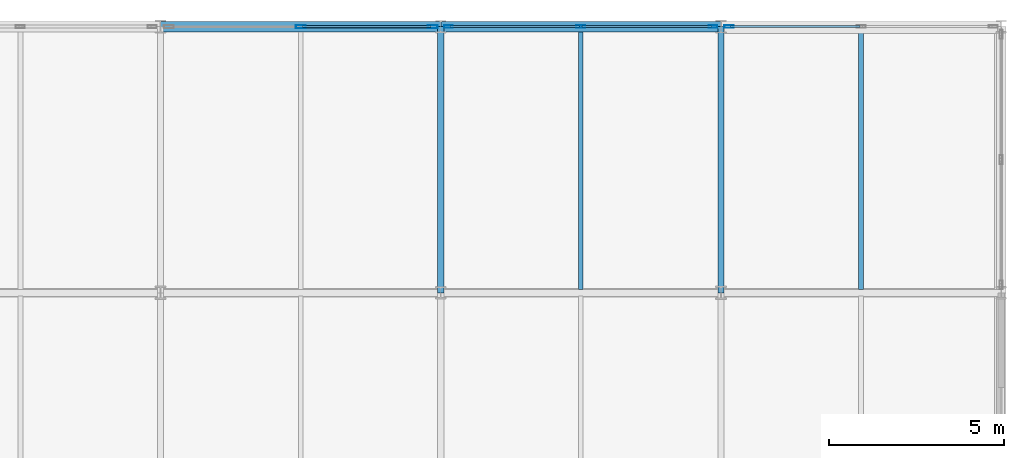
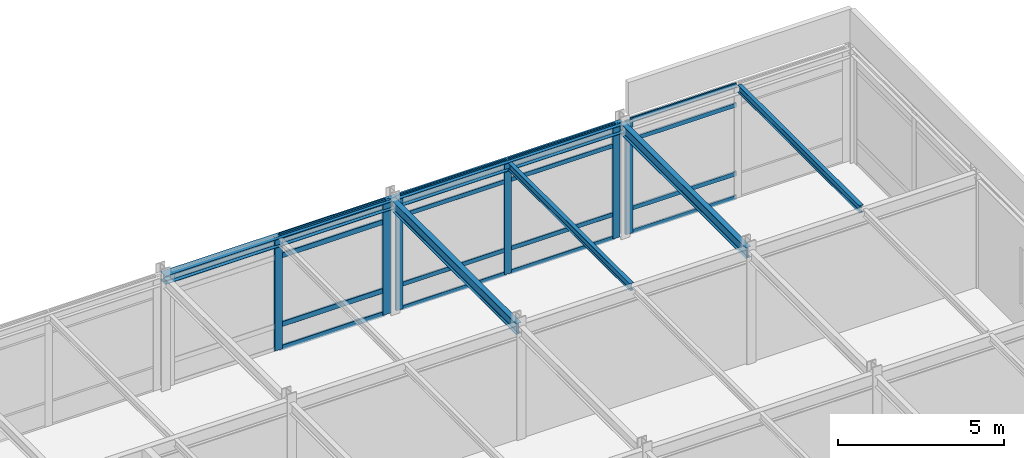
# One storey, part 10 of 16: 22 members, 6 beams, 3 elements without a shape of their own.
"""IFC4 building model written with IfcOpenShell, lengths in metres."""

from ifc_helpers import new_model, si_unit, direction, frame, origin, origin_2d, place, context, subcontext, project, spatial, hollow_rectangle, i_section, extrude, material, layer, layer_set, material_profile, profile_set, type_object, element, aggregate, save


model = new_model("IFC4")

# Units and contexts
model_context = context("Model", 3, precision=1e-05, world=origin(), true_north=direction((0.0, 1.0)))
body_context = subcontext(model_context, "Body", "Model", "MODEL_VIEW")
ifc_project = project(units=[si_unit("LENGTHUNIT", "METRE"), si_unit("AREAUNIT", "SQUARE_METRE"), si_unit("VOLUMEUNIT", "CUBIC_METRE"), si_unit("PLANEANGLEUNIT", "RADIAN"), si_unit("MASSUNIT", "GRAM", prefix="KILO")], contexts=[model_context])

# Site, building, storey
site_placement = place(None, origin())
site = spatial("IfcSite", under=ifc_project, at=site_placement, CompositionType="ELEMENT")
building_placement = place(site_placement, origin())
building = spatial("IfcBuilding", under=site, at=building_placement, Name="Shalkamar Park Central Library", CompositionType="ELEMENT")
storey_placement = place(building_placement, frame((0.0, 0.0, 51.60009765625)))
storey = spatial("IfcBuildingStorey", under=building, at=storey_placement, Name="L13", CompositionType="ELEMENT", Elevation=51.60009765625)

# Beams
ifc_material_1 = material(Name="Steel S355", Category="steel")
ifc_material_profile_1 = material_profile(ifc_material_1, i_section(OverallWidth=0.135009765625, OverallDepth=0.27001953125, WebThickness=0.006591796875, FlangeThickness=0.01025390625, FilletRadius=0.014892578125, at=origin_2d()), Name="IPE 270")
ifc_profile_set_1 = profile_set([ifc_material_profile_1], Name="Steel S355")
beam_type_1 = type_object("IfcBeamType", Name="Composite Floor Joist IPE270", PredefinedType="JOIST", material=ifc_profile_set_1)
for number, where, z_axis, x_axis, name in (
    (1, (209.0, 278.097900390625, 4.044921875), (0.0, 1.0, 0.0), (-1.0, 0.0, 0.0), "Composite Joist 12/F-1 (L13)"),
    (2, (217.0, 278.097900390625, 4.114990234375), (0.0, 1.0, 0.0), (-1.0, 0.0, 0.0), "Composite Joist 13/F-1 (L13)"),
):
    element("IfcBeam", number, at=place(storey_placement, frame(where, z_axis=z_axis, x_axis=x_axis)), inside=storey, type_object=beam_type_1, Name=name, PredefinedType="JOIST", context=body_context, shape_type="SweptSolid", body=[
        extrude(i_section(OverallWidth=0.135009765625, OverallDepth=0.27001953125, WebThickness=0.006591796875, FlangeThickness=0.01025390625, FilletRadius=0.014892578125, at=origin_2d()), origin(), (0.0, 0.0, 1.0), 7.35400390625),
    ])

# Curtain wall, members
ifc_material_2 = material(Name="Thermally broken aluminium and triple low-e curtain wall", Category="aluminium")
ifc_layer_1 = layer(ifc_material_2, 0.25)
ifc_layer_set_1 = layer_set([ifc_layer_1], Name="UnitisedCurtainWall_94")
curtain_wall_type_1 = type_object("IfcCurtainWallType", Name="Unitised Curtain Wall 94", PredefinedType="USERDEFINED", material=ifc_layer_set_1)
curtain_wall_1_placement = place(storey_placement, origin())
curtain_wall_1 = element("IfcCurtainWall", 3, at=curtain_wall_1_placement, inside=storey, type_object=curtain_wall_type_1, Name="Unitised Curtain Wall CW-L13-147", ObjectType="UNITISED CURTAIN WALL", PredefinedType="USERDEFINED")
ifc_material_3 = material(Name="Aluminium 6060-T66", Category="aluminium")
ifc_material_profile_2 = material_profile(ifc_material_3, hollow_rectangle(XDim=0.074951171875, YDim=0.25, WallThickness=0.00390625, InnerFilletRadius=0.00390625, OuterFilletRadius=0.006103515625, at=origin_2d()), Name="ALU 75x250x4")
ifc_profile_set_2 = profile_set([ifc_material_profile_2], Name="Aluminium 6060-T66")
member_type_1 = type_object("IfcMemberType", Name="Curtain Wall Mullion ALU75x250", PredefinedType="MULLION", material=ifc_profile_set_2)
member_1_placement = place(storey_placement, frame((205.220947265625, 285.60009765625, 0.0), z_axis=(0.0, 0.0, 1.0), x_axis=(0.0, 1.0, 0.0)))
member_1 = element("IfcMember", 4, at=member_1_placement, type_object=member_type_1, Name="CW-94 mullion 1", PredefinedType="MULLION", context=body_context, shape_type="SweptSolid", body=[
    extrude(hollow_rectangle(XDim=0.074951171875, YDim=0.25, WallThickness=0.00390625, InnerFilletRadius=0.00390625, OuterFilletRadius=0.006103515625, at=origin_2d()), origin(), (0.0, 0.0, 1.0), 4.179931640625),
])
member_2_placement = place(storey_placement, frame((208.99560546875, 285.60009765625, 0.0), z_axis=(0.0, 0.0, 1.0), x_axis=(0.0, 1.0, 0.0)))
member_2 = element("IfcMember", 5, at=member_2_placement, type_object=member_type_1, Name="CW-94 mullion 2", PredefinedType="MULLION", context=body_context, shape_type="SweptSolid", body=[
    extrude(hollow_rectangle(XDim=0.074951171875, YDim=0.25, WallThickness=0.00390625, InnerFilletRadius=0.00390625, OuterFilletRadius=0.006103515625, at=origin_2d()), origin(), (0.0, 0.0, 1.0), 4.179931640625),
])
member_3_placement = place(storey_placement, frame((212.77001953125, 285.60009765625, 0.0), z_axis=(0.0, 0.0, 1.0), x_axis=(0.0, 1.0, 0.0)))
member_3 = element("IfcMember", 6, at=member_3_placement, type_object=member_type_1, Name="CW-94 mullion 3", PredefinedType="MULLION", context=body_context, shape_type="SweptSolid", body=[
    extrude(hollow_rectangle(XDim=0.074951171875, YDim=0.25, WallThickness=0.00390625, InnerFilletRadius=0.00390625, OuterFilletRadius=0.006103515625, at=origin_2d()), origin(), (0.0, 0.0, 1.0), 4.179931640625),
])

# Curtain wall, member
ifc_layer_2 = layer(ifc_material_2, 0.260009765625)
ifc_layer_set_2 = layer_set([ifc_layer_2], Name="UnitisedCurtainWall_89")
curtain_wall_type_2 = type_object("IfcCurtainWallType", Name="Unitised Curtain Wall 89", PredefinedType="USERDEFINED", material=ifc_layer_set_2)
curtain_wall_2_placement = place(storey_placement, origin())
curtain_wall_2 = element("IfcCurtainWall", 7, at=curtain_wall_2_placement, inside=storey, type_object=curtain_wall_type_2, Name="Unitised Curtain Wall CW-L13-148", ObjectType="UNITISED CURTAIN WALL", PredefinedType="USERDEFINED")
ifc_material_profile_3 = material_profile(ifc_material_3, hollow_rectangle(XDim=0.074951171875, YDim=0.260009765625, WallThickness=0.00439453125, InnerFilletRadius=0.00439453125, OuterFilletRadius=0.0068359375, at=origin_2d()), Name="ALU 75x260x4.5")
ifc_profile_set_3 = profile_set([ifc_material_profile_3], Name="Aluminium 6060-T66")
member_type_2 = type_object("IfcMemberType", Name="Curtain Wall Mullion ALU75x260", PredefinedType="MULLION", material=ifc_profile_set_3)
member_4_placement = place(storey_placement, frame((213.22998046875, 285.60009765625, 0.0), z_axis=(0.0, 0.0, 1.0), x_axis=(0.0, 1.0, 0.0)))
member_4 = element("IfcMember", 8, at=member_4_placement, type_object=member_type_2, Name="CW-89 mullion 1", PredefinedType="MULLION", context=body_context, shape_type="SweptSolid", body=[
    extrude(hollow_rectangle(XDim=0.074951171875, YDim=0.260009765625, WallThickness=0.00439453125, InnerFilletRadius=0.00439453125, OuterFilletRadius=0.0068359375, at=origin_2d()), origin(), (0.0, 0.0, 1.0), 4.179931640625),
])

# Curtain wall, members
ifc_layer_3 = layer(ifc_material_2, 0.280029296875)
ifc_layer_set_3 = layer_set([ifc_layer_3], Name="UnitisedCurtainWall_93")
curtain_wall_type_3 = type_object("IfcCurtainWallType", Name="Unitised Curtain Wall 93", PredefinedType="USERDEFINED", material=ifc_layer_set_3)
curtain_wall_3_placement = place(storey_placement, origin())
curtain_wall_3 = element("IfcCurtainWall", 9, at=curtain_wall_3_placement, inside=storey, type_object=curtain_wall_type_3, Name="Unitised Curtain Wall CW-L13-146", ObjectType="UNITISED CURTAIN WALL", PredefinedType="USERDEFINED")
ifc_material_profile_4 = material_profile(ifc_material_3, hollow_rectangle(XDim=0.090087890625, YDim=0.280029296875, WallThickness=0.0048828125, InnerFilletRadius=0.0048828125, OuterFilletRadius=0.007568359375, at=origin_2d()), Name="ALU 90x280x5")
ifc_profile_set_4 = profile_set([ifc_material_profile_4], Name="Aluminium 6060-T66")
member_type_3 = type_object("IfcMemberType", Name="Curtain Wall Mullion ALU90x280", PredefinedType="MULLION", material=ifc_profile_set_4)
member_5_placement = place(storey_placement, frame((201.00439453125, 285.60009765625, 0.0), z_axis=(0.0, 0.0, 1.0), x_axis=(0.0, 1.0, 0.0)))
member_5 = element("IfcMember", 10, at=member_5_placement, type_object=member_type_3, Name="CW-93 mullion 2", PredefinedType="MULLION", context=body_context, shape_type="SweptSolid", body=[
    extrude(hollow_rectangle(XDim=0.090087890625, YDim=0.280029296875, WallThickness=0.0048828125, InnerFilletRadius=0.0048828125, OuterFilletRadius=0.007568359375, at=origin_2d()), origin(), (0.0, 0.0, 1.0), 4.179931640625),
])
member_6_placement = place(storey_placement, frame((204.771484375, 285.60009765625, 0.0), z_axis=(0.0, 0.0, 1.0), x_axis=(0.0, 1.0, 0.0)))
member_6 = element("IfcMember", 11, at=member_6_placement, type_object=member_type_3, Name="CW-93 mullion 3", PredefinedType="MULLION", context=body_context, shape_type="SweptSolid", body=[
    extrude(hollow_rectangle(XDim=0.090087890625, YDim=0.280029296875, WallThickness=0.0048828125, InnerFilletRadius=0.0048828125, OuterFilletRadius=0.007568359375, at=origin_2d()), origin(), (0.0, 0.0, 1.0), 4.179931640625),
])

# Member
ifc_material_profile_5 = material_profile(ifc_material_3, hollow_rectangle(XDim=0.06005859375, YDim=0.159912109375, WallThickness=0.00390625, InnerFilletRadius=0.00390625, OuterFilletRadius=0.006103515625, at=origin_2d()), Name="ALU 60x160x4")
ifc_profile_set_5 = profile_set([ifc_material_profile_5], Name="Aluminium 6060-T66")
member_type_4 = type_object("IfcMemberType", Name="Curtain Wall Transom ALU60x160", PredefinedType="USERDEFINED", material=ifc_profile_set_5)
member_7_placement = place(storey_placement, frame((205.258544921875, 285.60009765625, 0.02978515625), z_axis=(1.0, 0.0, 0.0), x_axis=(0.0, 1.0, 0.0)))
member_7 = element("IfcMember", 12, at=member_7_placement, type_object=member_type_4, Name="CW-94 transom 1.1", ObjectType="TRANSOM", PredefinedType="USERDEFINED", context=body_context, shape_type="SweptSolid", body=[
    extrude(hollow_rectangle(XDim=0.06005859375, YDim=0.159912109375, WallThickness=0.00390625, InnerFilletRadius=0.00390625, OuterFilletRadius=0.006103515625, at=origin_2d()), origin(), (0.0, 0.0, 1.0), 3.699462890625),
])

member_8_placement = place(storey_placement, frame((205.258544921875, 285.60009765625, 0.89990234375), z_axis=(1.0, 0.0, 0.0), x_axis=(0.0, 1.0, 0.0)))
member_8 = element("IfcMember", 13, at=member_8_placement, type_object=member_type_4, Name="CW-94 transom 1.2", ObjectType="TRANSOM", PredefinedType="USERDEFINED", context=body_context, shape_type="SweptSolid", body=[
    extrude(hollow_rectangle(XDim=0.06005859375, YDim=0.159912109375, WallThickness=0.00390625, InnerFilletRadius=0.00390625, OuterFilletRadius=0.006103515625, at=origin_2d()), origin(), (0.0, 0.0, 1.0), 3.699462890625),
])

member_9_placement = place(storey_placement, frame((205.258544921875, 285.60009765625, 3.429931640625), z_axis=(1.0, 0.0, 0.0), x_axis=(0.0, 1.0, 0.0)))
member_9 = element("IfcMember", 14, at=member_9_placement, type_object=member_type_4, Name="CW-94 transom 1.3", ObjectType="TRANSOM", PredefinedType="USERDEFINED", context=body_context, shape_type="SweptSolid", body=[
    extrude(hollow_rectangle(XDim=0.06005859375, YDim=0.159912109375, WallThickness=0.00390625, InnerFilletRadius=0.00390625, OuterFilletRadius=0.006103515625, at=origin_2d()), origin(), (0.0, 0.0, 1.0), 3.699462890625),
])

member_10_placement = place(storey_placement, frame((205.258544921875, 285.60009765625, 4.14990234375), z_axis=(1.0, 0.0, 0.0), x_axis=(0.0, 1.0, 0.0)))
member_10 = element("IfcMember", 15, at=member_10_placement, type_object=member_type_4, Name="CW-94 transom 1.4", ObjectType="TRANSOM", PredefinedType="USERDEFINED", context=body_context, shape_type="SweptSolid", body=[
    extrude(hollow_rectangle(XDim=0.06005859375, YDim=0.159912109375, WallThickness=0.00390625, InnerFilletRadius=0.00390625, OuterFilletRadius=0.006103515625, at=origin_2d()), origin(), (0.0, 0.0, 1.0), 3.699462890625),
])

member_11_placement = place(storey_placement, frame((209.032958984375, 285.60009765625, 0.02978515625), z_axis=(1.0, 0.0, 0.0), x_axis=(0.0, 1.0, 0.0)))
member_11 = element("IfcMember", 16, at=member_11_placement, type_object=member_type_4, Name="CW-94 transom 2.1", ObjectType="TRANSOM", PredefinedType="USERDEFINED", context=body_context, shape_type="SweptSolid", body=[
    extrude(hollow_rectangle(XDim=0.06005859375, YDim=0.159912109375, WallThickness=0.00390625, InnerFilletRadius=0.00390625, OuterFilletRadius=0.006103515625, at=origin_2d()), origin(), (0.0, 0.0, 1.0), 3.699462890625),
])

member_12_placement = place(storey_placement, frame((209.032958984375, 285.60009765625, 0.89990234375), z_axis=(1.0, 0.0, 0.0), x_axis=(0.0, 1.0, 0.0)))
member_12 = element("IfcMember", 17, at=member_12_placement, type_object=member_type_4, Name="CW-94 transom 2.2", ObjectType="TRANSOM", PredefinedType="USERDEFINED", context=body_context, shape_type="SweptSolid", body=[
    extrude(hollow_rectangle(XDim=0.06005859375, YDim=0.159912109375, WallThickness=0.00390625, InnerFilletRadius=0.00390625, OuterFilletRadius=0.006103515625, at=origin_2d()), origin(), (0.0, 0.0, 1.0), 3.699462890625),
])

member_13_placement = place(storey_placement, frame((209.032958984375, 285.60009765625, 3.429931640625), z_axis=(1.0, 0.0, 0.0), x_axis=(0.0, 1.0, 0.0)))
member_13 = element("IfcMember", 18, at=member_13_placement, type_object=member_type_4, Name="CW-94 transom 2.3", ObjectType="TRANSOM", PredefinedType="USERDEFINED", context=body_context, shape_type="SweptSolid", body=[
    extrude(hollow_rectangle(XDim=0.06005859375, YDim=0.159912109375, WallThickness=0.00390625, InnerFilletRadius=0.00390625, OuterFilletRadius=0.006103515625, at=origin_2d()), origin(), (0.0, 0.0, 1.0), 3.699462890625),
])

member_14_placement = place(storey_placement, frame((209.032958984375, 285.60009765625, 4.14990234375), z_axis=(1.0, 0.0, 0.0), x_axis=(0.0, 1.0, 0.0)))
member_14 = element("IfcMember", 19, at=member_14_placement, type_object=member_type_4, Name="CW-94 transom 2.4", ObjectType="TRANSOM", PredefinedType="USERDEFINED", context=body_context, shape_type="SweptSolid", body=[
    extrude(hollow_rectangle(XDim=0.06005859375, YDim=0.159912109375, WallThickness=0.00390625, InnerFilletRadius=0.00390625, OuterFilletRadius=0.006103515625, at=origin_2d()), origin(), (0.0, 0.0, 1.0), 3.699462890625),
])

aggregate(curtain_wall_1, [member_1, member_2, member_3, member_7, member_8, member_9, member_10, member_11, member_12, member_13, member_14])

ifc_material_profile_6 = material_profile(ifc_material_3, hollow_rectangle(XDim=0.06005859375, YDim=0.1650390625, WallThickness=0.00390625, InnerFilletRadius=0.00390625, OuterFilletRadius=0.006103515625, at=origin_2d()), Name="ALU 60x165x4")
ifc_profile_set_6 = profile_set([ifc_material_profile_6], Name="Aluminium 6060-T66")
member_type_5 = type_object("IfcMemberType", Name="Curtain Wall Transom ALU60x165", PredefinedType="USERDEFINED", material=ifc_profile_set_6)
member_15_placement = place(storey_placement, frame((213.267578125, 285.60009765625, 0.02978515625), z_axis=(1.0, 0.0, 0.0), x_axis=(0.0, 1.0, 0.0)))
member_15 = element("IfcMember", 20, at=member_15_placement, type_object=member_type_5, Name="CW-89 transom 1.1", ObjectType="TRANSOM", PredefinedType="USERDEFINED", context=body_context, shape_type="SweptSolid", body=[
    extrude(hollow_rectangle(XDim=0.06005859375, YDim=0.1650390625, WallThickness=0.00390625, InnerFilletRadius=0.00390625, OuterFilletRadius=0.006103515625, at=origin_2d()), origin(), (0.0, 0.0, 1.0), 3.699462890625),
])

member_16_placement = place(storey_placement, frame((213.267578125, 285.60009765625, 0.89990234375), z_axis=(1.0, 0.0, 0.0), x_axis=(0.0, 1.0, 0.0)))
member_16 = element("IfcMember", 21, at=member_16_placement, type_object=member_type_5, Name="CW-89 transom 1.2", ObjectType="TRANSOM", PredefinedType="USERDEFINED", context=body_context, shape_type="SweptSolid", body=[
    extrude(hollow_rectangle(XDim=0.06005859375, YDim=0.1650390625, WallThickness=0.00390625, InnerFilletRadius=0.00390625, OuterFilletRadius=0.006103515625, at=origin_2d()), origin(), (0.0, 0.0, 1.0), 3.699462890625),
])

member_17_placement = place(storey_placement, frame((213.267578125, 285.60009765625, 3.429931640625), z_axis=(1.0, 0.0, 0.0), x_axis=(0.0, 1.0, 0.0)))
member_17 = element("IfcMember", 22, at=member_17_placement, type_object=member_type_5, Name="CW-89 transom 1.3", ObjectType="TRANSOM", PredefinedType="USERDEFINED", context=body_context, shape_type="SweptSolid", body=[
    extrude(hollow_rectangle(XDim=0.06005859375, YDim=0.1650390625, WallThickness=0.00390625, InnerFilletRadius=0.00390625, OuterFilletRadius=0.006103515625, at=origin_2d()), origin(), (0.0, 0.0, 1.0), 3.699462890625),
])

member_18_placement = place(storey_placement, frame((213.267578125, 285.60009765625, 4.14990234375), z_axis=(1.0, 0.0, 0.0), x_axis=(0.0, 1.0, 0.0)))
member_18 = element("IfcMember", 23, at=member_18_placement, type_object=member_type_5, Name="CW-89 transom 1.4", ObjectType="TRANSOM", PredefinedType="USERDEFINED", context=body_context, shape_type="SweptSolid", body=[
    extrude(hollow_rectangle(XDim=0.06005859375, YDim=0.1650390625, WallThickness=0.00390625, InnerFilletRadius=0.00390625, OuterFilletRadius=0.006103515625, at=origin_2d()), origin(), (0.0, 0.0, 1.0), 3.699462890625),
])

aggregate(curtain_wall_2, [member_4, member_15, member_16, member_17, member_18])

ifc_material_profile_7 = material_profile(ifc_material_3, hollow_rectangle(XDim=0.070068359375, YDim=0.18994140625, WallThickness=0.0048828125, InnerFilletRadius=0.0048828125, OuterFilletRadius=0.007568359375, at=origin_2d()), Name="ALU 70x190x5")
ifc_profile_set_7 = profile_set([ifc_material_profile_7], Name="Aluminium 6060-T66")
member_type_6 = type_object("IfcMemberType", Name="Curtain Wall Transom ALU70x190", PredefinedType="USERDEFINED", material=ifc_profile_set_7)
member_19_placement = place(storey_placement, frame((201.049560546875, 285.60009765625, 0.034912109375), z_axis=(1.0, 0.0, 0.0), x_axis=(0.0, 1.0, 0.0)))
member_19 = element("IfcMember", 24, at=member_19_placement, type_object=member_type_6, Name="CW-93 transom 2.1", ObjectType="TRANSOM", PredefinedType="USERDEFINED", context=body_context, shape_type="SweptSolid", body=[
    extrude(hollow_rectangle(XDim=0.070068359375, YDim=0.18994140625, WallThickness=0.0048828125, InnerFilletRadius=0.0048828125, OuterFilletRadius=0.007568359375, at=origin_2d()), origin(), (0.0, 0.0, 1.0), 3.677001953125),
])

member_20_placement = place(storey_placement, frame((201.049560546875, 285.60009765625, 0.89990234375), z_axis=(1.0, 0.0, 0.0), x_axis=(0.0, 1.0, 0.0)))
member_20 = element("IfcMember", 25, at=member_20_placement, type_object=member_type_6, Name="CW-93 transom 2.2", ObjectType="TRANSOM", PredefinedType="USERDEFINED", context=body_context, shape_type="SweptSolid", body=[
    extrude(hollow_rectangle(XDim=0.070068359375, YDim=0.18994140625, WallThickness=0.0048828125, InnerFilletRadius=0.0048828125, OuterFilletRadius=0.007568359375, at=origin_2d()), origin(), (0.0, 0.0, 1.0), 3.677001953125),
])

member_21_placement = place(storey_placement, frame((201.049560546875, 285.60009765625, 3.429931640625), z_axis=(1.0, 0.0, 0.0), x_axis=(0.0, 1.0, 0.0)))
member_21 = element("IfcMember", 26, at=member_21_placement, type_object=member_type_6, Name="CW-93 transom 2.3", ObjectType="TRANSOM", PredefinedType="USERDEFINED", context=body_context, shape_type="SweptSolid", body=[
    extrude(hollow_rectangle(XDim=0.070068359375, YDim=0.18994140625, WallThickness=0.0048828125, InnerFilletRadius=0.0048828125, OuterFilletRadius=0.007568359375, at=origin_2d()), origin(), (0.0, 0.0, 1.0), 3.677001953125),
])

member_22_placement = place(storey_placement, frame((201.049560546875, 285.60009765625, 4.14501953125), z_axis=(1.0, 0.0, 0.0), x_axis=(0.0, 1.0, 0.0)))
member_22 = element("IfcMember", 27, at=member_22_placement, type_object=member_type_6, Name="CW-93 transom 2.4", ObjectType="TRANSOM", PredefinedType="USERDEFINED", context=body_context, shape_type="SweptSolid", body=[
    extrude(hollow_rectangle(XDim=0.070068359375, YDim=0.18994140625, WallThickness=0.0048828125, InnerFilletRadius=0.0048828125, OuterFilletRadius=0.007568359375, at=origin_2d()), origin(), (0.0, 0.0, 1.0), 3.677001953125),
])

aggregate(curtain_wall_3, [member_5, member_6, member_19, member_20, member_21, member_22])

# Beams
ifc_material_profile_8 = material_profile(ifc_material_1, i_section(OverallWidth=0.300048828125, OverallDepth=0.31005859375, WebThickness=0.009033203125, FlangeThickness=0.015380859375, FilletRadius=0.027099609375, at=origin_2d()), Name="HEA 320")
ifc_profile_set_8 = profile_set([ifc_material_profile_8], Name="Steel S355")
beam_type_2 = type_object("IfcBeamType", Name="Perimeter Spandrel Beam HEA320", PredefinedType="SPANDREL", material=ifc_profile_set_8)
for number, where, z_axis, x_axis, name in (
    (28, (197.0, 285.60009765625, 4.02490234375), (1.0, 0.0, 0.0), (0.0, 1.0, 0.0), "Beam G:11-12 (L13)"),
    (29, (205.0, 285.60009765625, 4.02490234375), (1.0, 0.0, 0.0), (0.0, 1.0, 0.0), "Beam G:12-13 (L13)"),
):
    element("IfcBeam", number, at=place(storey_placement, frame(where, z_axis=z_axis, x_axis=x_axis)), inside=storey, type_object=beam_type_2, Name=name, PredefinedType="SPANDREL", context=body_context, shape_type="SweptSolid", body=[
        extrude(i_section(OverallWidth=0.300048828125, OverallDepth=0.31005859375, WebThickness=0.009033203125, FlangeThickness=0.015380859375, FilletRadius=0.027099609375, at=origin_2d()), origin(), (0.0, 0.0, 1.0), 8.0),
    ])
ifc_material_profile_9 = material_profile(ifc_material_1, i_section(OverallWidth=0.179931640625, OverallDepth=0.39990234375, WebThickness=0.008544921875, FlangeThickness=0.013427734375, FilletRadius=0.02099609375, at=origin_2d()), Name="IPE 400")
ifc_profile_set_9 = profile_set([ifc_material_profile_9], Name="Steel S355")
beam_type_3 = type_object("IfcBeamType", Name="Primary Girder IPE400", PredefinedType="BEAM", material=ifc_profile_set_9)
for number, where, z_axis, x_axis, name in (
    (30, (205.0, 278.0, 3.97998046875), (0.0, 1.0, 0.0), (-1.0, 0.0, 0.0), "Beam 12:F-G (L13)"),
    (31, (213.0, 278.0, 3.97998046875), (0.0, 1.0, 0.0), (-1.0, 0.0, 0.0), "Beam 13:F-G (L13)"),
):
    element("IfcBeam", number, at=place(storey_placement, frame(where, z_axis=z_axis, x_axis=x_axis)), inside=storey, type_object=beam_type_3, Name=name, PredefinedType="BEAM", context=body_context, shape_type="SweptSolid", body=[
        extrude(i_section(OverallWidth=0.179931640625, OverallDepth=0.39990234375, WebThickness=0.008544921875, FlangeThickness=0.013427734375, FilletRadius=0.02099609375, at=origin_2d()), origin(), (0.0, 0.0, 1.0), 7.60009765625),
    ])

save(model, "model.ifc")
